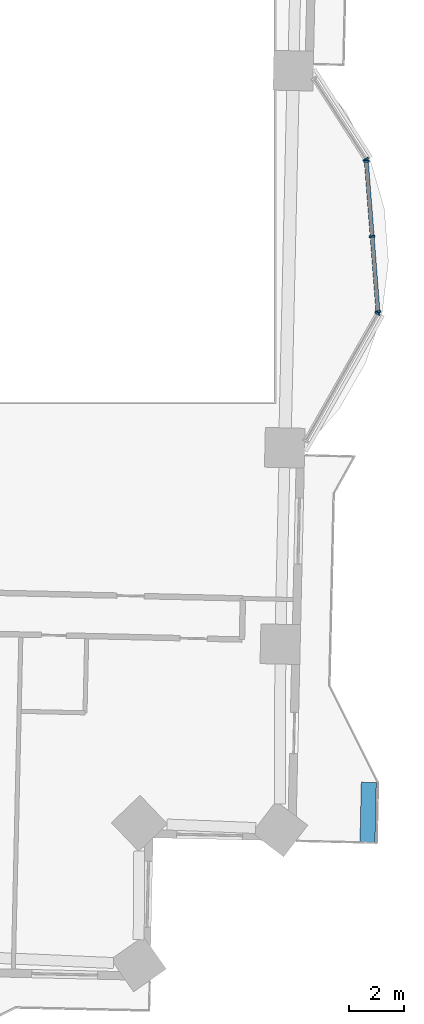
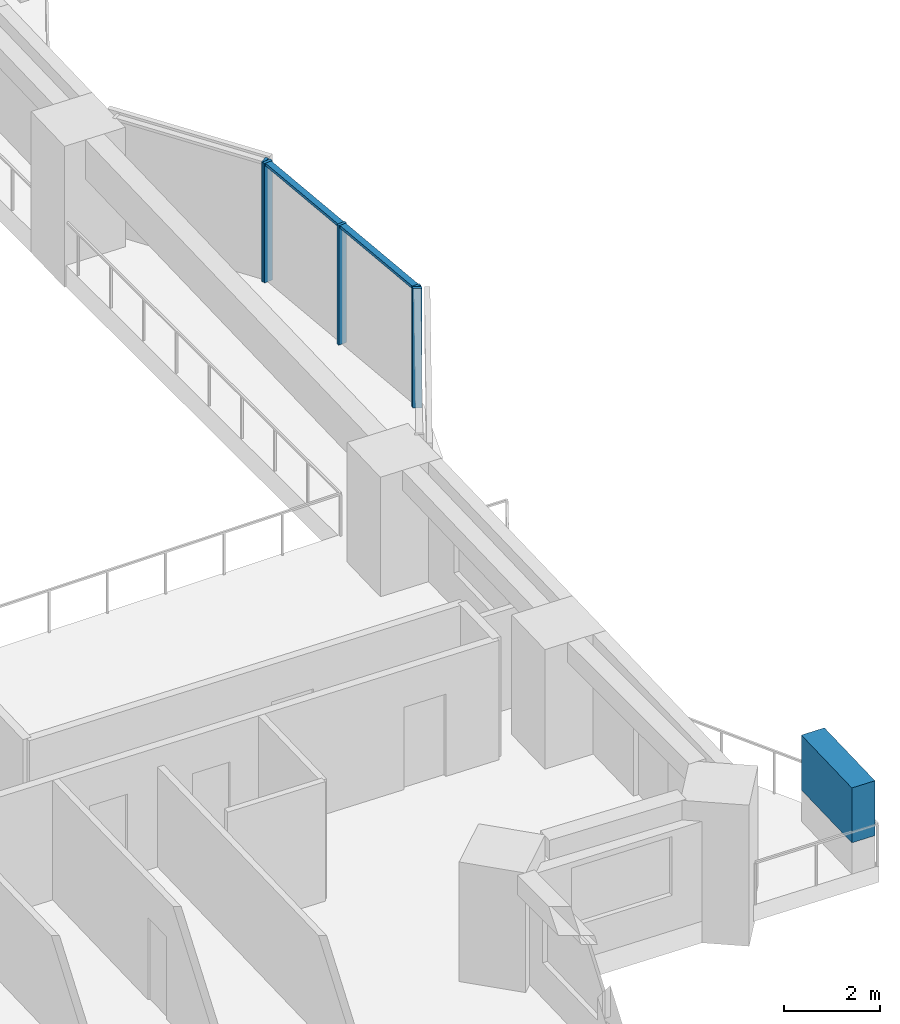
# One storey, part 5 of 18: 8 members, 3 elements without a shape of their own.
"""IFC4 building model written with IfcOpenShell, lengths in metres."""

from ifc_helpers import new_model, si_unit, direction, frame, origin, origin_2d, place, context, subcontext, project, spatial, rectangle, extrude, material, material_profile, profile_set, type_object, element, aggregate, save


model = new_model("IFC4")

# Units and contexts
model_context = context("Model", 3, precision=1e-05, world=origin(), true_north=direction((0.0, 1.0)))
body_context = subcontext(model_context, "Body", "Model", "MODEL_VIEW")
ifc_project = project(units=[si_unit("LENGTHUNIT", "METRE"), si_unit("AREAUNIT", "SQUARE_METRE"), si_unit("VOLUMEUNIT", "CUBIC_METRE"), si_unit("PLANEANGLEUNIT", "RADIAN"), si_unit("MASSUNIT", "GRAM", prefix="KILO")], contexts=[model_context])

# Site, building, storey
site_placement = place(None, origin())
site = spatial("IfcSite", under=ifc_project, at=site_placement, CompositionType="ELEMENT")
building_placement = place(site_placement, origin())
building = spatial("IfcBuilding", under=site, at=building_placement, Name="Mangrove Gate Tower", CompositionType="ELEMENT")
storey_placement = place(building_placement, frame((0.0, 0.0, 71.10009765625)))
storey = spatial("IfcBuildingStorey", under=building, at=storey_placement, Name="L17", CompositionType="ELEMENT", Elevation=71.10009765625)

# Curtain wall, member
ifc_material_1 = material(Name="Aluminium and glass curtain wall", Category="aluminium")
curtain_wall_type = type_object("IfcCurtainWallType", Name="Atrium garden-court glazing wall", PredefinedType="NOTDEFINED", material=ifc_material_1)
curtain_wall_1_placement = place(storey_placement, origin())
curtain_wall_1 = element("IfcCurtainWall", 1, at=curtain_wall_1_placement, inside=storey, type_object=curtain_wall_type, Name="Atrium garden-court glazing E1f1", PredefinedType="NOTDEFINED")
ifc_material_2 = material(Name="Aluminium alloy 6063-T6", Category="aluminium")
ifc_material_profile_1 = material_profile(ifc_material_2, rectangle(XDim=0.070068359375, YDim=0.199951171875, at=origin_2d()))
ifc_profile_set_1 = profile_set([ifc_material_profile_1], Name="Aluminium alloy 6063-T6")
member_type_1 = type_object("IfcMemberType", Name="Atrium garden-court glazing mullion 70x200", PredefinedType="MULLION", material=ifc_profile_set_1)
member_1_placement = place(storey_placement, frame((33.66162109375, -4.2822265625, 0.0), z_axis=(0.0, 0.0, 1.0), x_axis=(0.492603686489, 0.870253760726, 0.0)))
member_1 = element("IfcMember", 2, at=member_1_placement, type_object=member_type_1, Name="CWA mullion 2", PredefinedType="MULLION", context=body_context, shape_type="SweptSolid", body=[
    extrude(rectangle(XDim=0.070068359375, YDim=0.199951171875, at=origin_2d()), origin(), (0.0, 0.0, 1.0), 3.0498046875),
])
aggregate(curtain_wall_1, [member_1])

# Curtain wall, members
curtain_wall_2_placement = place(storey_placement, origin())
curtain_wall_2 = element("IfcCurtainWall", 3, at=curtain_wall_2_placement, inside=storey, type_object=curtain_wall_type, Name="Atrium garden-court glazing E1f2", PredefinedType="NOTDEFINED")
member_2_placement = place(storey_placement, frame((33.67626953125, -4.217041015625, 0.0), z_axis=(0.0, 0.0, 1.0), x_axis=(-0.077023348212, 0.997029289354, 0.0)))
member_2 = element("IfcMember", 4, at=member_2_placement, type_object=member_type_1, Name="CWA mullion 1", PredefinedType="MULLION", context=body_context, shape_type="SweptSolid", body=[
    extrude(rectangle(XDim=0.070068359375, YDim=0.199951171875, at=origin_2d()), origin(), (0.0, 0.0, 1.0), 3.0498046875),
])
member_3_placement = place(storey_placement, frame((33.46435546875, -1.473388671875, 0.0), z_axis=(0.0, 0.0, 1.0), x_axis=(-0.077023348212, 0.997029289354, 0.0)))
member_3 = element("IfcMember", 5, at=member_3_placement, type_object=member_type_1, Name="CWA mullion 2", PredefinedType="MULLION", context=body_context, shape_type="SweptSolid", body=[
    extrude(rectangle(XDim=0.070068359375, YDim=0.199951171875, at=origin_2d()), origin(), (0.0, 0.0, 1.0), 3.0498046875),
])
member_4_placement = place(storey_placement, frame((33.25244140625, 1.270263671875, 0.0), z_axis=(0.0, 0.0, 1.0), x_axis=(-0.077023348212, 0.997029289354, 0.0)))
member_4 = element("IfcMember", 6, at=member_4_placement, type_object=member_type_1, Name="CWA mullion 3", PredefinedType="MULLION", context=body_context, shape_type="SweptSolid", body=[
    extrude(rectangle(XDim=0.070068359375, YDim=0.199951171875, at=origin_2d()), origin(), (0.0, 0.0, 1.0), 3.0498046875),
])

# Curtain wall, member
curtain_wall_3_placement = place(storey_placement, origin())
curtain_wall_3 = element("IfcCurtainWall", 7, at=curtain_wall_3_placement, inside=storey, type_object=curtain_wall_type, Name="Atrium garden-court glazing E1f3", PredefinedType="NOTDEFINED")
member_5_placement = place(storey_placement, frame((33.230712890625, 1.33447265625, 0.0), z_axis=(0.0, 0.0, 1.0), x_axis=(-0.540524576597, 0.841328224948, 0.0)))
member_5 = element("IfcMember", 8, at=member_5_placement, type_object=member_type_1, Name="CWA mullion 1", PredefinedType="MULLION", context=body_context, shape_type="SweptSolid", body=[
    extrude(rectangle(XDim=0.070068359375, YDim=0.199951171875, at=origin_2d()), origin(), (0.0, 0.0, 1.0), 3.0498046875),
])
aggregate(curtain_wall_3, [member_5])

# Member
ifc_material_3 = material(Name="Aluminium alloy 6063-T6", Category="aluminium")
ifc_material_profile_2 = material_profile(ifc_material_3, rectangle(XDim=0.070068359375, YDim=0.14990234375, at=origin_2d()))
ifc_profile_set_2 = profile_set([ifc_material_profile_2], Name="Aluminium alloy 6063-T6")
member_type_2 = type_object("IfcMemberType", Name="Atrium garden-court glazing transom 70x150", PredefinedType="USERDEFINED", material=ifc_profile_set_2)
member_6_placement = place(storey_placement, frame((33.673583984375, -4.18212890625, 3.014892578125), z_axis=(-0.07701672858, 0.997029800718, 0.0), x_axis=(0.0, 0.0, 1.0)))
member_6 = element("IfcMember", 9, at=member_6_placement, type_object=member_type_2, Name="CWA transom 1.2", ObjectType="TRANSOM", PredefinedType="USERDEFINED", context=body_context, shape_type="SweptSolid", body=[
    extrude(rectangle(XDim=0.070068359375, YDim=0.14990234375, at=origin_2d()), origin(), (0.0, 0.0, 1.0), 2.681884765625),
])

member_7_placement = place(storey_placement, frame((33.461669921875, -1.4384765625, 3.014892578125), z_axis=(-0.07701672858, 0.997029800718, 0.0), x_axis=(0.0, 0.0, 1.0)))
member_7 = element("IfcMember", 10, at=member_7_placement, type_object=member_type_2, Name="CWA transom 2.2", ObjectType="TRANSOM", PredefinedType="USERDEFINED", context=body_context, shape_type="SweptSolid", body=[
    extrude(rectangle(XDim=0.070068359375, YDim=0.14990234375, at=origin_2d()), origin(), (0.0, 0.0, 1.0), 2.681884765625),
])

aggregate(curtain_wall_2, [member_2, member_3, member_4, member_6, member_7])

ifc_material_4 = material(Name="Planting on aluminium trellis", Category="aluminium")
ifc_material_profile_3 = material_profile(ifc_material_4, rectangle(XDim=0.550048828125, YDim=1.39990234375, at=origin_2d()))
ifc_profile_set_3 = profile_set([ifc_material_profile_3], Name="Planting on aluminium trellis")
member_type_3 = type_object("IfcMemberType", Name="Balcony greenery screen 550x1400", PredefinedType="USERDEFINED", material=ifc_profile_set_3)
member_8_placement = place(storey_placement, frame((33.2939453125, -23.574951171875, 1.5), z_axis=(0.022754182687, 0.999741090068, 0.0), x_axis=(-0.999741090068, 0.022754182687, 0.0)))
element("IfcMember", 11, at=member_8_placement, inside=storey, type_object=member_type_3, Name="GREEN SCREEN L17 E0.1", ObjectType="PLANTING", PredefinedType="USERDEFINED", context=body_context, shape_type="SweptSolid", body=[
    extrude(rectangle(XDim=0.550048828125, YDim=1.39990234375, at=origin_2d()), origin(), (0.0, 0.0, 1.0), 2.199462890625),
])

save(model, "model.ifc")
